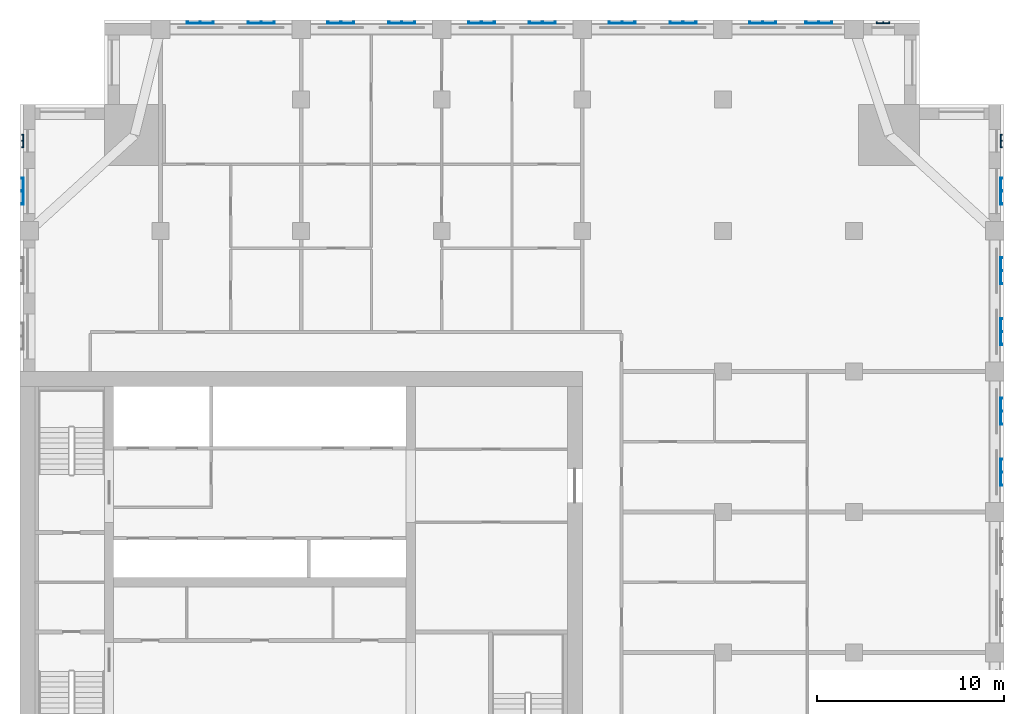
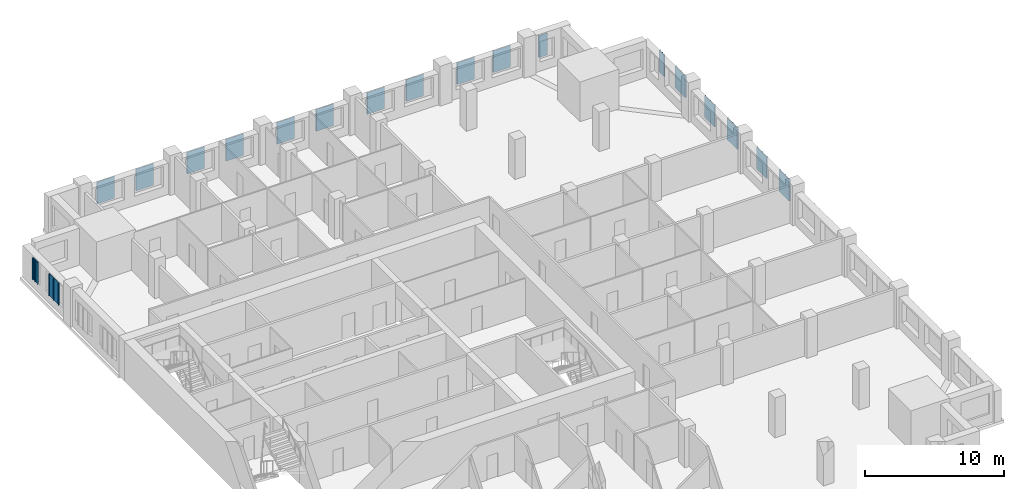
# One storey, part 5 of 14: 19 plates.
"""IFC4 building model written with IfcOpenShell, lengths in metres."""

from ifc_helpers import new_model, si_unit, direction, frame, origin, place, context, subcontext, project, spatial, polyline, outline, extrude, material, layer, layer_set, type_object, element, save


model = new_model("IFC4")

# Units and contexts
model_context = context("Model", 3, precision=1e-05, world=origin(), true_north=direction((0.0, 1.0)))
body_context = subcontext(model_context, "Body", "Model", "MODEL_VIEW")
ifc_project = project(units=[si_unit("LENGTHUNIT", "METRE"), si_unit("AREAUNIT", "SQUARE_METRE"), si_unit("VOLUMEUNIT", "CUBIC_METRE"), si_unit("PLANEANGLEUNIT", "RADIAN"), si_unit("MASSUNIT", "GRAM", prefix="KILO")], contexts=[model_context])

# Site, building, storey
site_placement = place(None, origin())
site = spatial("IfcSite", under=ifc_project, at=site_placement, CompositionType="ELEMENT")
building_placement = place(site_placement, origin())
building = spatial("IfcBuilding", under=site, at=building_placement, Name="Tamorin Gate", CompositionType="ELEMENT")
storey_placement = place(building_placement, frame((0.0, 0.0, 189.699951171875)))
storey = spatial("IfcBuildingStorey", under=building, at=storey_placement, Name="L46", CompositionType="ELEMENT", Elevation=189.699951171875)

# Plates
ifc_material = material(Name="Perforated pale aluminium sheet", Category="aluminium")
ifc_layer_1 = layer(ifc_material, 0.0400390625)
ifc_layer_set_1 = layer_set([ifc_layer_1], Name="Pale metal solar screen 1440")
plate_type_1 = type_object("IfcPlateType", Name="Pale metal solar screen 1440", PredefinedType="SHEET", material=ifc_layer_set_1)
plate_1_placement = place(storey_placement, frame((0.0, 0.0, 0.737548828125)))
element("IfcPlate", 1, at=plate_1_placement, inside=storey, type_object=plate_type_1, Name="Perforated solar screen", PredefinedType="SHEET", context=body_context, shape_type="SweptSolid", body=[
    extrude(outline(polyline([(82.340087890625, 76.405029296875), (82.300048828125, 76.405029296875), (82.300048828125, 76.465087890625), (82.300048828125, 77.094970703125), (82.300048828125, 77.155029296875), (82.300048828125, 77.784912109375), (82.300048828125, 77.844970703125), (82.340087890625, 77.844970703125), (82.39990234375, 77.844970703125), (82.39990234375, 77.784912109375), (82.340087890625, 77.784912109375), (82.340087890625, 77.155029296875), (82.39990234375, 77.155029296875), (82.39990234375, 77.094970703125), (82.340087890625, 77.094970703125), (82.340087890625, 76.465087890625), (82.39990234375, 76.465087890625), (82.39990234375, 76.405029296875), (82.340087890625, 76.405029296875)])), origin(), (0.0, 0.0, 1.0), 1.925048828125),
])
plate_2_placement = place(storey_placement, frame((0.0, 0.0, 0.737548828125)))
element("IfcPlate", 2, at=plate_2_placement, inside=storey, type_object=plate_type_1, Name="Perforated solar screen", PredefinedType="SHEET", context=body_context, shape_type="SweptSolid", body=[
    extrude(outline(polyline([(82.340087890625, 79.655029296875), (82.300048828125, 79.655029296875), (82.300048828125, 79.715087890625), (82.300048828125, 80.344970703125), (82.300048828125, 80.405029296875), (82.300048828125, 81.034912109375), (82.300048828125, 81.094970703125), (82.340087890625, 81.094970703125), (82.39990234375, 81.094970703125), (82.39990234375, 81.034912109375), (82.340087890625, 81.034912109375), (82.340087890625, 80.405029296875), (82.39990234375, 80.405029296875), (82.39990234375, 80.344970703125), (82.340087890625, 80.344970703125), (82.340087890625, 79.715087890625), (82.39990234375, 79.715087890625), (82.39990234375, 79.655029296875), (82.340087890625, 79.655029296875)])), origin(), (0.0, 0.0, 1.0), 1.925048828125),
])
plate_3_placement = place(storey_placement, frame((0.0, 0.0, 0.737548828125)))
element("IfcPlate", 3, at=plate_3_placement, inside=storey, type_object=plate_type_1, Name="Perforated solar screen", PredefinedType="SHEET", context=body_context, shape_type="SweptSolid", body=[
    extrude(outline(polyline([(82.340087890625, 83.905029296875), (82.300048828125, 83.905029296875), (82.300048828125, 83.965087890625), (82.300048828125, 84.594970703125), (82.300048828125, 84.655029296875), (82.300048828125, 85.284912109375), (82.300048828125, 85.344970703125), (82.340087890625, 85.344970703125), (82.39990234375, 85.344970703125), (82.39990234375, 85.284912109375), (82.340087890625, 85.284912109375), (82.340087890625, 84.655029296875), (82.39990234375, 84.655029296875), (82.39990234375, 84.594970703125), (82.340087890625, 84.594970703125), (82.340087890625, 83.965087890625), (82.39990234375, 83.965087890625), (82.39990234375, 83.905029296875), (82.340087890625, 83.905029296875)])), origin(), (0.0, 0.0, 1.0), 1.925048828125),
])
plate_4_placement = place(storey_placement, frame((0.0, 0.0, 0.737548828125)))
element("IfcPlate", 4, at=plate_4_placement, inside=storey, type_object=plate_type_1, Name="Perforated solar screen", PredefinedType="SHEET", context=body_context, shape_type="SweptSolid", body=[
    extrude(outline(polyline([(82.340087890625, 87.155029296875), (82.300048828125, 87.155029296875), (82.300048828125, 87.215087890625), (82.300048828125, 87.844970703125), (82.300048828125, 87.905029296875), (82.300048828125, 88.534912109375), (82.300048828125, 88.594970703125), (82.340087890625, 88.594970703125), (82.39990234375, 88.594970703125), (82.39990234375, 88.534912109375), (82.340087890625, 88.534912109375), (82.340087890625, 87.905029296875), (82.39990234375, 87.905029296875), (82.39990234375, 87.844970703125), (82.340087890625, 87.844970703125), (82.340087890625, 87.215087890625), (82.39990234375, 87.215087890625), (82.39990234375, 87.155029296875), (82.340087890625, 87.155029296875)])), origin(), (0.0, 0.0, 1.0), 1.925048828125),
])
plate_5_placement = place(storey_placement, frame((0.0, 0.0, 0.737548828125)))
element("IfcPlate", 5, at=plate_5_placement, inside=storey, type_object=plate_type_1, Name="Perforated solar screen", PredefinedType="SHEET", context=body_context, shape_type="SweptSolid", body=[
    extrude(outline(polyline([(82.340087890625, 91.405029296875), (82.300048828125, 91.405029296875), (82.300048828125, 91.465087890625), (82.300048828125, 92.094970703125), (82.300048828125, 92.155029296875), (82.300048828125, 92.784912109375), (82.300048828125, 92.844970703125), (82.340087890625, 92.844970703125), (82.39990234375, 92.844970703125), (82.39990234375, 92.784912109375), (82.340087890625, 92.784912109375), (82.340087890625, 92.155029296875), (82.39990234375, 92.155029296875), (82.39990234375, 92.094970703125), (82.340087890625, 92.094970703125), (82.340087890625, 91.465087890625), (82.39990234375, 91.465087890625), (82.39990234375, 91.405029296875), (82.340087890625, 91.405029296875)])), origin(), (0.0, 0.0, 1.0), 1.925048828125),
])
plate_6_placement = place(storey_placement, frame((0.0, 0.0, 0.737548828125)))
element("IfcPlate", 6, at=plate_6_placement, inside=storey, type_object=plate_type_1, Name="Perforated solar screen", PredefinedType="SHEET", context=body_context, shape_type="SweptSolid", body=[
    extrude(outline(polyline([(70.344970703125, 101.090087890625), (70.344970703125, 101.050048828125), (70.284912109375, 101.050048828125), (69.655029296875, 101.050048828125), (69.594970703125, 101.050048828125), (68.965087890625, 101.050048828125), (68.905029296875, 101.050048828125), (68.905029296875, 101.090087890625), (68.905029296875, 101.14990234375), (68.965087890625, 101.14990234375), (68.965087890625, 101.090087890625), (69.594970703125, 101.090087890625), (69.594970703125, 101.14990234375), (69.655029296875, 101.14990234375), (69.655029296875, 101.090087890625), (70.284912109375, 101.090087890625), (70.284912109375, 101.14990234375), (70.344970703125, 101.14990234375), (70.344970703125, 101.090087890625)])), origin(), (0.0, 0.0, 1.0), 1.925048828125),
])
plate_7_placement = place(storey_placement, frame((0.0, 0.0, 0.737548828125)))
element("IfcPlate", 7, at=plate_7_placement, inside=storey, type_object=plate_type_1, Name="Perforated solar screen", PredefinedType="SHEET", context=body_context, shape_type="SweptSolid", body=[
    extrude(outline(polyline([(73.344970703125, 101.090087890625), (73.344970703125, 101.050048828125), (73.284912109375, 101.050048828125), (72.655029296875, 101.050048828125), (72.594970703125, 101.050048828125), (71.965087890625, 101.050048828125), (71.905029296875, 101.050048828125), (71.905029296875, 101.050048828125), (71.905029296875, 101.090087890625), (71.905029296875, 101.090087890625), (71.905029296875, 101.14990234375), (71.965087890625, 101.14990234375), (71.965087890625, 101.090087890625), (72.594970703125, 101.090087890625), (72.594970703125, 101.14990234375), (72.655029296875, 101.14990234375), (72.655029296875, 101.090087890625), (73.284912109375, 101.090087890625), (73.284912109375, 101.14990234375), (73.344970703125, 101.14990234375), (73.344970703125, 101.090087890625)])), origin(), (0.0, 0.0, 1.0), 1.925048828125),
])
plate_8_placement = place(storey_placement, frame((0.0, 0.0, 0.737548828125)))
element("IfcPlate", 8, at=plate_8_placement, inside=storey, type_object=plate_type_1, Name="Perforated solar screen", PredefinedType="SHEET", context=body_context, shape_type="SweptSolid", body=[
    extrude(outline(polyline([(62.844970703125, 101.090087890625), (62.844970703125, 101.050048828125), (62.784912109375, 101.050048828125), (62.155029296875, 101.050048828125), (62.094970703125, 101.050048828125), (61.465087890625, 101.050048828125), (61.405029296875, 101.050048828125), (61.405029296875, 101.090087890625), (61.405029296875, 101.14990234375), (61.465087890625, 101.14990234375), (61.465087890625, 101.090087890625), (62.094970703125, 101.090087890625), (62.094970703125, 101.14990234375), (62.155029296875, 101.14990234375), (62.155029296875, 101.090087890625), (62.784912109375, 101.090087890625), (62.784912109375, 101.14990234375), (62.844970703125, 101.14990234375), (62.844970703125, 101.090087890625)])), origin(), (0.0, 0.0, 1.0), 1.925048828125),
])
plate_9_placement = place(storey_placement, frame((0.0, 0.0, 0.737548828125)))
element("IfcPlate", 9, at=plate_9_placement, inside=storey, type_object=plate_type_1, Name="Perforated solar screen", PredefinedType="SHEET", context=body_context, shape_type="SweptSolid", body=[
    extrude(outline(polyline([(66.094970703125, 101.090087890625), (66.094970703125, 101.050048828125), (66.034912109375, 101.050048828125), (65.405029296875, 101.050048828125), (65.344970703125, 101.050048828125), (64.715087890625, 101.050048828125), (64.655029296875, 101.050048828125), (64.655029296875, 101.090087890625), (64.655029296875, 101.14990234375), (64.715087890625, 101.14990234375), (64.715087890625, 101.090087890625), (65.344970703125, 101.090087890625), (65.344970703125, 101.14990234375), (65.405029296875, 101.14990234375), (65.405029296875, 101.090087890625), (66.034912109375, 101.090087890625), (66.034912109375, 101.14990234375), (66.094970703125, 101.14990234375), (66.094970703125, 101.090087890625)])), origin(), (0.0, 0.0, 1.0), 1.925048828125),
])
plate_10_placement = place(storey_placement, frame((0.0, 0.0, 0.737548828125)))
element("IfcPlate", 10, at=plate_10_placement, inside=storey, type_object=plate_type_1, Name="Perforated solar screen", PredefinedType="SHEET", context=body_context, shape_type="SweptSolid", body=[
    extrude(outline(polyline([(55.344970703125, 101.090087890625), (55.344970703125, 101.050048828125), (55.284912109375, 101.050048828125), (54.655029296875, 101.050048828125), (54.594970703125, 101.050048828125), (53.965087890625, 101.050048828125), (53.905029296875, 101.050048828125), (53.905029296875, 101.090087890625), (53.905029296875, 101.14990234375), (53.965087890625, 101.14990234375), (53.965087890625, 101.090087890625), (54.594970703125, 101.090087890625), (54.594970703125, 101.14990234375), (54.655029296875, 101.14990234375), (54.655029296875, 101.090087890625), (55.284912109375, 101.090087890625), (55.284912109375, 101.14990234375), (55.344970703125, 101.14990234375), (55.344970703125, 101.090087890625)])), origin(), (0.0, 0.0, 1.0), 1.925048828125),
])
plate_11_placement = place(storey_placement, frame((0.0, 0.0, 0.737548828125)))
element("IfcPlate", 11, at=plate_11_placement, inside=storey, type_object=plate_type_1, Name="Perforated solar screen", PredefinedType="SHEET", context=body_context, shape_type="SweptSolid", body=[
    extrude(outline(polyline([(58.594970703125, 101.090087890625), (58.594970703125, 101.050048828125), (58.534912109375, 101.050048828125), (57.905029296875, 101.050048828125), (57.844970703125, 101.050048828125), (57.215087890625, 101.050048828125), (57.155029296875, 101.050048828125), (57.155029296875, 101.090087890625), (57.155029296875, 101.14990234375), (57.215087890625, 101.14990234375), (57.215087890625, 101.090087890625), (57.844970703125, 101.090087890625), (57.844970703125, 101.14990234375), (57.905029296875, 101.14990234375), (57.905029296875, 101.090087890625), (58.534912109375, 101.090087890625), (58.534912109375, 101.14990234375), (58.594970703125, 101.14990234375), (58.594970703125, 101.090087890625)])), origin(), (0.0, 0.0, 1.0), 1.925048828125),
])
plate_12_placement = place(storey_placement, frame((0.0, 0.0, 0.737548828125)))
element("IfcPlate", 12, at=plate_12_placement, inside=storey, type_object=plate_type_1, Name="Perforated solar screen", PredefinedType="SHEET", context=body_context, shape_type="SweptSolid", body=[
    extrude(outline(polyline([(47.844970703125, 101.090087890625), (47.844970703125, 101.050048828125), (47.784912109375, 101.050048828125), (47.155029296875, 101.050048828125), (47.094970703125, 101.050048828125), (46.465087890625, 101.050048828125), (46.405029296875, 101.050048828125), (46.405029296875, 101.090087890625), (46.405029296875, 101.14990234375), (46.465087890625, 101.14990234375), (46.465087890625, 101.090087890625), (47.094970703125, 101.090087890625), (47.094970703125, 101.14990234375), (47.155029296875, 101.14990234375), (47.155029296875, 101.090087890625), (47.784912109375, 101.090087890625), (47.784912109375, 101.14990234375), (47.844970703125, 101.14990234375), (47.844970703125, 101.090087890625)])), origin(), (0.0, 0.0, 1.0), 1.925048828125),
])
plate_13_placement = place(storey_placement, frame((0.0, 0.0, 0.737548828125)))
element("IfcPlate", 13, at=plate_13_placement, inside=storey, type_object=plate_type_1, Name="Perforated solar screen", PredefinedType="SHEET", context=body_context, shape_type="SweptSolid", body=[
    extrude(outline(polyline([(51.094970703125, 101.090087890625), (51.094970703125, 101.050048828125), (51.034912109375, 101.050048828125), (50.405029296875, 101.050048828125), (50.344970703125, 101.050048828125), (49.715087890625, 101.050048828125), (49.655029296875, 101.050048828125), (49.655029296875, 101.090087890625), (49.655029296875, 101.14990234375), (49.715087890625, 101.14990234375), (49.715087890625, 101.090087890625), (50.344970703125, 101.090087890625), (50.344970703125, 101.14990234375), (50.405029296875, 101.14990234375), (50.405029296875, 101.090087890625), (51.034912109375, 101.090087890625), (51.034912109375, 101.14990234375), (51.094970703125, 101.14990234375), (51.094970703125, 101.090087890625)])), origin(), (0.0, 0.0, 1.0), 1.925048828125),
])
plate_14_placement = place(storey_placement, frame((0.0, 0.0, 0.737548828125)))
element("IfcPlate", 14, at=plate_14_placement, inside=storey, type_object=plate_type_1, Name="Perforated solar screen", PredefinedType="SHEET", context=body_context, shape_type="SweptSolid", body=[
    extrude(outline(polyline([(40.344970703125, 101.090087890625), (40.344970703125, 101.050048828125), (40.284912109375, 101.050048828125), (39.655029296875, 101.050048828125), (39.594970703125, 101.050048828125), (38.965087890625, 101.050048828125), (38.905029296875, 101.050048828125), (38.905029296875, 101.090087890625), (38.905029296875, 101.14990234375), (38.965087890625, 101.14990234375), (38.965087890625, 101.090087890625), (39.594970703125, 101.090087890625), (39.594970703125, 101.14990234375), (39.655029296875, 101.14990234375), (39.655029296875, 101.090087890625), (40.284912109375, 101.090087890625), (40.284912109375, 101.14990234375), (40.344970703125, 101.14990234375), (40.344970703125, 101.090087890625)])), origin(), (0.0, 0.0, 1.0), 1.925048828125),
])
plate_15_placement = place(storey_placement, frame((0.0, 0.0, 0.737548828125)))
element("IfcPlate", 15, at=plate_15_placement, inside=storey, type_object=plate_type_1, Name="Perforated solar screen", PredefinedType="SHEET", context=body_context, shape_type="SweptSolid", body=[
    extrude(outline(polyline([(43.594970703125, 101.090087890625), (43.594970703125, 101.050048828125), (43.534912109375, 101.050048828125), (42.905029296875, 101.050048828125), (42.844970703125, 101.050048828125), (42.215087890625, 101.050048828125), (42.155029296875, 101.050048828125), (42.155029296875, 101.090087890625), (42.155029296875, 101.14990234375), (42.215087890625, 101.14990234375), (42.215087890625, 101.090087890625), (42.844970703125, 101.090087890625), (42.844970703125, 101.14990234375), (42.905029296875, 101.14990234375), (42.905029296875, 101.090087890625), (43.534912109375, 101.090087890625), (43.534912109375, 101.14990234375), (43.594970703125, 101.14990234375), (43.594970703125, 101.090087890625)])), origin(), (0.0, 0.0, 1.0), 1.925048828125),
])
plate_16_placement = place(storey_placement, frame((0.0, 0.0, 0.737548828125)))
element("IfcPlate", 16, at=plate_16_placement, inside=storey, type_object=plate_type_1, Name="Perforated solar screen", PredefinedType="SHEET", context=body_context, shape_type="SweptSolid", body=[
    extrude(outline(polyline([(30.159912109375, 92.844970703125), (30.199951171875, 92.844970703125), (30.199951171875, 92.784912109375), (30.199951171875, 92.155029296875), (30.199951171875, 92.094970703125), (30.199951171875, 91.465087890625), (30.199951171875, 91.405029296875), (30.199951171875, 91.405029296875), (30.159912109375, 91.405029296875), (30.159912109375, 91.405029296875), (30.10009765625, 91.405029296875), (30.10009765625, 91.465087890625), (30.159912109375, 91.465087890625), (30.159912109375, 92.094970703125), (30.10009765625, 92.094970703125), (30.10009765625, 92.155029296875), (30.159912109375, 92.155029296875), (30.159912109375, 92.784912109375), (30.10009765625, 92.784912109375), (30.10009765625, 92.844970703125), (30.159912109375, 92.844970703125)])), origin(), (0.0, 0.0, 1.0), 1.925048828125),
])
ifc_layer_2 = layer(ifc_material, 0.0400390625)
ifc_layer_set_2 = layer_set([ifc_layer_2], Name="Pale metal solar screen 720")
plate_type_2 = type_object("IfcPlateType", Name="Pale metal solar screen 720", PredefinedType="SHEET", material=ifc_layer_set_2)
plate_17_placement = place(storey_placement, frame((0.0, 0.0, 0.737548828125)))
element("IfcPlate", 17, at=plate_17_placement, inside=storey, type_object=plate_type_2, Name="Perforated solar screen", PredefinedType="SHEET", context=body_context, shape_type="SweptSolid", body=[
    extrude(outline(polyline([(82.340087890625, 94.43994140625), (82.300048828125, 94.43994140625), (82.300048828125, 94.5), (82.300048828125, 94.77001953125), (82.300048828125, 94.830078125), (82.300048828125, 95.10009765625), (82.300048828125, 95.159912109375), (82.340087890625, 95.159912109375), (82.39990234375, 95.159912109375), (82.39990234375, 95.10009765625), (82.340087890625, 95.10009765625), (82.340087890625, 94.830078125), (82.39990234375, 94.830078125), (82.39990234375, 94.77001953125), (82.340087890625, 94.77001953125), (82.340087890625, 94.5), (82.39990234375, 94.5), (82.39990234375, 94.43994140625), (82.340087890625, 94.43994140625)])), origin(), (0.0, 0.0, 1.0), 1.925048828125),
])
plate_18_placement = place(storey_placement, frame((0.0, 0.0, 0.737548828125)))
element("IfcPlate", 18, at=plate_18_placement, inside=storey, type_object=plate_type_2, Name="Perforated solar screen", PredefinedType="SHEET", context=body_context, shape_type="SweptSolid", body=[
    extrude(outline(polyline([(76.409912109375, 101.090087890625), (76.409912109375, 101.050048828125), (76.35009765625, 101.050048828125), (76.080078125, 101.050048828125), (76.02001953125, 101.050048828125), (75.75, 101.050048828125), (75.68994140625, 101.050048828125), (75.68994140625, 101.090087890625), (75.68994140625, 101.14990234375), (75.75, 101.14990234375), (75.75, 101.090087890625), (76.02001953125, 101.090087890625), (76.02001953125, 101.14990234375), (76.080078125, 101.14990234375), (76.080078125, 101.090087890625), (76.35009765625, 101.090087890625), (76.35009765625, 101.14990234375), (76.409912109375, 101.14990234375), (76.409912109375, 101.090087890625)])), origin(), (0.0, 0.0, 1.0), 1.925048828125),
])
plate_19_placement = place(storey_placement, frame((0.0, 0.0, 0.737548828125)))
element("IfcPlate", 19, at=plate_19_placement, inside=storey, type_object=plate_type_2, Name="Perforated solar screen", PredefinedType="SHEET", context=body_context, shape_type="SweptSolid", body=[
    extrude(outline(polyline([(30.159912109375, 95.159912109375), (30.199951171875, 95.159912109375), (30.199951171875, 95.10009765625), (30.199951171875, 94.830078125), (30.199951171875, 94.77001953125), (30.199951171875, 94.5), (30.199951171875, 94.43994140625), (30.159912109375, 94.43994140625), (30.10009765625, 94.43994140625), (30.10009765625, 94.5), (30.159912109375, 94.5), (30.159912109375, 94.77001953125), (30.10009765625, 94.77001953125), (30.10009765625, 94.830078125), (30.159912109375, 94.830078125), (30.159912109375, 95.10009765625), (30.10009765625, 95.10009765625), (30.10009765625, 95.159912109375), (30.159912109375, 95.159912109375)])), origin(), (0.0, 0.0, 1.0), 1.925048828125),
])

save(model, "model.ifc")
